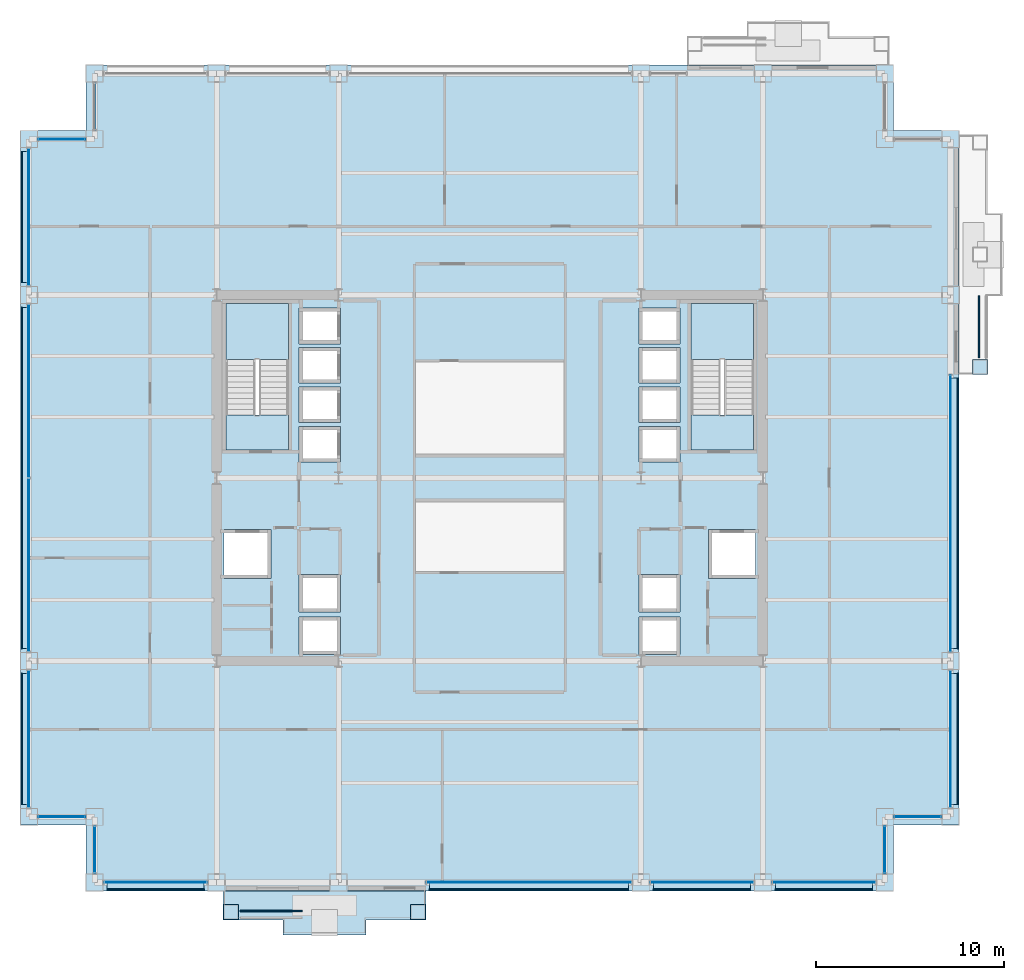
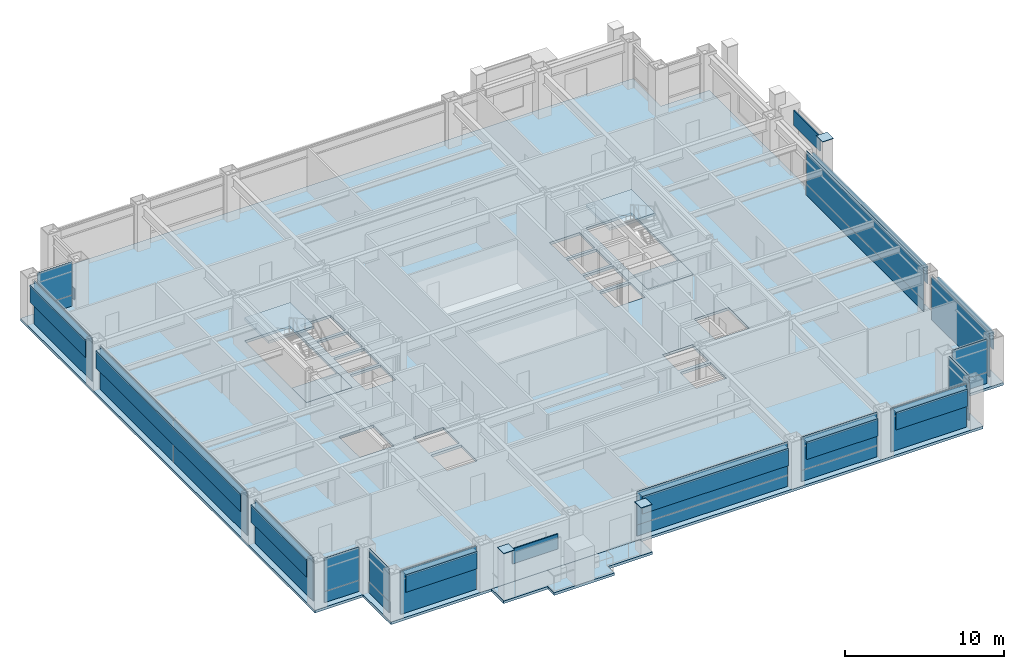
# One storey, part 23 of 31: 47 plates, 6 slabs, 17 elements without a shape of their own.
"""IFC4 building model written with IfcOpenShell, lengths in metres."""

from ifc_helpers import new_model, si_unit, direction, frame, origin, origin_2d, place, context, subcontext, project, spatial, polyline, rectangle, outline, extrude, material, layer, layer_set, type_object, element, aggregate, save


model = new_model("IFC4")

# Units and contexts
model_context = context("Model", 3, precision=1e-05, world=origin(), true_north=direction((0.0, 1.0)))
body_context = subcontext(model_context, "Body", "Model", "MODEL_VIEW")
ifc_project = project(units=[si_unit("LENGTHUNIT", "METRE"), si_unit("AREAUNIT", "SQUARE_METRE"), si_unit("VOLUMEUNIT", "CUBIC_METRE"), si_unit("PLANEANGLEUNIT", "RADIAN"), si_unit("MASSUNIT", "GRAM", prefix="KILO")], contexts=[model_context])

# Site, building, storey
site_placement = place(None, origin())
site = spatial("IfcSite", under=ifc_project, at=site_placement, CompositionType="ELEMENT")
building_placement = place(site_placement, origin())
building = spatial("IfcBuilding", under=site, at=building_placement, Name="Brelmoor Portico Tower", CompositionType="ELEMENT")
storey_placement = place(building_placement, frame((0.0, 0.0, 42.0)))
storey = spatial("IfcBuildingStorey", under=building, at=storey_placement, Name="L10", CompositionType="ELEMENT", Elevation=42.0)

# Plates
ifc_material_1 = material(Name="Steel Q355B", Category="steel")
ifc_layer_1 = layer(ifc_material_1, 0.044921875)
ifc_layer_set_1 = layer_set([ifc_layer_1], Name="Steel Q355B")
plate_type_1 = type_object("IfcPlateType", Name="PT-CAP-650", PredefinedType="SHEET", material=ifc_layer_set_1)
for number, where, z_axis, x_axis, name in (
    (1, (-13.780029296875, -23.1298828125, 3.60009765625), (0.0, 0.0, 1.0), (1.0, 0.0, 0.0), "L10 Proud Picture-Frame Pier PFJ-S1 Welded Head Cap Plate"),
    (2, (-3.820068359375, -23.1298828125, 3.60009765625), (0.0, 0.0, 1.0), (1.0, 0.0, 0.0), "L10 Proud Picture-Frame Pier PFJ-S2 Welded Head Cap Plate"),
    (3, (26.1298828125, 5.919921875, 3.60009765625), (0.0, 0.0, 1.0), (0.0, 1.0, 0.0), "L10 Proud Picture-Frame Pier PFJ-E1 Welded Head Cap Plate"),
):
    element("IfcPlate", number, at=place(storey_placement, frame(where, z_axis=z_axis, x_axis=x_axis)), inside=storey, type_object=plate_type_1, Name=name, PredefinedType="SHEET", context=body_context, shape_type="SweptSolid", body=[
        extrude(rectangle(XDim=0.7900390625, YDim=0.7900390625, at=origin_2d()), origin(), (0.0, 0.0, 1.0), 0.0400390625),
    ])

# Curtain wall, plate
ifc_material_2 = material(Name="Anodised Aluminium Alloy 6063-T6", Category="aluminium")
ifc_layer_2 = layer(ifc_material_2, 0.179931640625)
ifc_layer_set_2 = layer_set([ifc_layer_2], Name="Anodised Aluminium Alloy 6063-T6")
curtain_wall_type_1 = type_object("IfcCurtainWallType", Name="CW-TOWER-Z1", PredefinedType="NOTDEFINED", material=ifc_layer_set_2)
curtain_wall_1_placement = place(storey_placement, origin())
curtain_wall_1 = element("IfcCurtainWall", 4, at=curtain_wall_1_placement, inside=storey, type_object=curtain_wall_type_1, Name="L10 Curtain Wall CW-L10-1R-1", PredefinedType="NOTDEFINED")
ifc_material_3 = material(Name="Double-Silver Low-E Insulated Glazing", Category="glass")
ifc_layer_3 = layer(ifc_material_3, 0.035888671875)
ifc_layer_set_3 = layer_set([ifc_layer_3], Name="Double-Silver Low-E Insulated Glazing")
plate_type_2 = type_object("IfcPlateType", Name="PT-CW-GLASS", PredefinedType="CURTAIN_PANEL", material=ifc_layer_set_3)
plate_1_placement = place(storey_placement, frame((2.08251953125, -21.550048828125, 0.85009765625), z_axis=(0.0, 0.0, 1.0), x_axis=(1.0, 0.0, 0.0)))
plate_1 = element("IfcPlate", 5, at=plate_1_placement, type_object=plate_type_2, Name="CW-L10-1R-1 Vision Glass Panel 00", PredefinedType="CURTAIN_PANEL", context=body_context, shape_type="SweptSolid", body=[
    extrude(rectangle(XDim=10.93505859375, YDim=0.035888671875, at=origin_2d()), origin(), (0.0, 0.0, 1.0), 2.550048828125),
])

curtain_wall_2_placement = place(storey_placement, origin())
curtain_wall_2 = element("IfcCurtainWall", 6, at=curtain_wall_2_placement, inside=storey, type_object=curtain_wall_type_1, Name="L10 Curtain Wall CW-L10-1R-2", PredefinedType="NOTDEFINED")
plate_2_placement = place(storey_placement, frame((11.300048828125, -21.550048828125, 0.85009765625), z_axis=(0.0, 0.0, 1.0), x_axis=(1.0, 0.0, 0.0)))
plate_2 = element("IfcPlate", 7, at=plate_2_placement, type_object=plate_type_2, Name="CW-L10-1R-2 Vision Glass Panel 00", PredefinedType="CURTAIN_PANEL", context=body_context, shape_type="SweptSolid", body=[
    extrude(rectangle(XDim=5.5, YDim=0.035888671875, at=origin_2d()), origin(), (0.0, 0.0, 1.0), 2.550048828125),
])

curtain_wall_3_placement = place(storey_placement, origin())
curtain_wall_3 = element("IfcCurtainWall", 8, at=curtain_wall_3_placement, inside=storey, type_object=curtain_wall_type_1, Name="L10 Curtain Wall CW-L10-4L-2", PredefinedType="NOTDEFINED")
plate_3_placement = place(storey_placement, frame((24.550048828125, -1.882568359375, 0.85009765625), z_axis=(0.0, 0.0, 1.0), x_axis=(0.0, 1.0, 0.0)))
plate_3 = element("IfcPlate", 9, at=plate_3_placement, type_object=plate_type_2, Name="CW-L10-4L-2 Vision Glass Panel 00", PredefinedType="CURTAIN_PANEL", context=body_context, shape_type="SweptSolid", body=[
    extrude(rectangle(XDim=14.735107421875, YDim=0.035888671875, at=origin_2d()), origin(), (0.0, 0.0, 1.0), 2.550048828125),
])

ifc_layer_4 = layer(ifc_material_2, 0.179931640625)
ifc_layer_set_4 = layer_set([ifc_layer_4], Name="Anodised Aluminium Alloy 6063-T6")
curtain_wall_type_2 = type_object("IfcCurtainWallType", Name="CW-NOTCH-CHAMFER", PredefinedType="NOTDEFINED", material=ifc_layer_set_4)
curtain_wall_4_placement = place(storey_placement, origin())
curtain_wall_4 = element("IfcCurtainWall", 10, at=curtain_wall_4_placement, inside=storey, type_object=curtain_wall_type_2, Name="L10 Curtain Wall CWN-L10-SWH", PredefinedType="NOTDEFINED")
plate_4_placement = place(storey_placement, frame((-22.800048828125, -18.050048828125, 0.85009765625), z_axis=(0.0, 0.0, 1.0), x_axis=(1.0, 0.0, 0.0)))
plate_4 = element("IfcPlate", 11, at=plate_4_placement, type_object=plate_type_2, Name="CWN-L10-SWH Vision Glass Panel 00", PredefinedType="CURTAIN_PANEL", context=body_context, shape_type="SweptSolid", body=[
    extrude(rectangle(XDim=2.5, YDim=0.035888671875, at=origin_2d()), origin(), (0.0, 0.0, 1.0), 2.550048828125),
])

curtain_wall_5_placement = place(storey_placement, origin())
curtain_wall_5 = element("IfcCurtainWall", 12, at=curtain_wall_5_placement, inside=storey, type_object=curtain_wall_type_2, Name="L10 Curtain Wall CWN-L10-SWV", PredefinedType="NOTDEFINED")
plate_5_placement = place(storey_placement, frame((-21.050048828125, -19.800048828125, 0.85009765625), z_axis=(0.0, 0.0, 1.0), x_axis=(0.0, 1.0, 0.0)))
plate_5 = element("IfcPlate", 13, at=plate_5_placement, type_object=plate_type_2, Name="CWN-L10-SWV Vision Glass Panel 00", PredefinedType="CURTAIN_PANEL", context=body_context, shape_type="SweptSolid", body=[
    extrude(rectangle(XDim=2.5, YDim=0.035888671875, at=origin_2d()), origin(), (0.0, 0.0, 1.0), 2.550048828125),
])

curtain_wall_6_placement = place(storey_placement, origin())
curtain_wall_6 = element("IfcCurtainWall", 14, at=curtain_wall_6_placement, inside=storey, type_object=curtain_wall_type_2, Name="L10 Curtain Wall CWN-L10-SEH", PredefinedType="NOTDEFINED")
plate_6_placement = place(storey_placement, frame((22.800048828125, -18.050048828125, 0.85009765625), z_axis=(0.0, 0.0, 1.0), x_axis=(1.0, 0.0, 0.0)))
plate_6 = element("IfcPlate", 15, at=plate_6_placement, type_object=plate_type_2, Name="CWN-L10-SEH Vision Glass Panel 00", PredefinedType="CURTAIN_PANEL", context=body_context, shape_type="SweptSolid", body=[
    extrude(rectangle(XDim=2.5, YDim=0.035888671875, at=origin_2d()), origin(), (0.0, 0.0, 1.0), 2.550048828125),
])

curtain_wall_7_placement = place(storey_placement, origin())
curtain_wall_7 = element("IfcCurtainWall", 16, at=curtain_wall_7_placement, inside=storey, type_object=curtain_wall_type_2, Name="L10 Curtain Wall CWN-L10-SEV", PredefinedType="NOTDEFINED")
plate_7_placement = place(storey_placement, frame((21.050048828125, -19.800048828125, 0.85009765625), z_axis=(0.0, 0.0, 1.0), x_axis=(0.0, 1.0, 0.0)))
plate_7 = element("IfcPlate", 17, at=plate_7_placement, type_object=plate_type_2, Name="CWN-L10-SEV Vision Glass Panel 00", PredefinedType="CURTAIN_PANEL", context=body_context, shape_type="SweptSolid", body=[
    extrude(rectangle(XDim=2.5, YDim=0.035888671875, at=origin_2d()), origin(), (0.0, 0.0, 1.0), 2.550048828125),
])

curtain_wall_8_placement = place(storey_placement, origin())
curtain_wall_8 = element("IfcCurtainWall", 18, at=curtain_wall_8_placement, inside=storey, type_object=curtain_wall_type_2, Name="L10 Curtain Wall CWN-L10-NWH", PredefinedType="NOTDEFINED")
plate_8_placement = place(storey_placement, frame((-22.800048828125, 18.050048828125, 0.85009765625), z_axis=(0.0, 0.0, 1.0), x_axis=(1.0, 0.0, 0.0)))
plate_8 = element("IfcPlate", 19, at=plate_8_placement, type_object=plate_type_2, Name="CWN-L10-NWH Vision Glass Panel 00", PredefinedType="CURTAIN_PANEL", context=body_context, shape_type="SweptSolid", body=[
    extrude(rectangle(XDim=2.5, YDim=0.035888671875, at=origin_2d()), origin(), (0.0, 0.0, 1.0), 2.550048828125),
])

ifc_layer_5 = layer(ifc_material_2, 0.179931640625)
ifc_layer_set_5 = layer_set([ifc_layer_5], Name="Anodised Aluminium Alloy 6063-T6")
curtain_wall_type_3 = type_object("IfcCurtainWallType", Name="CW-TOWER-Z1-XB", PredefinedType="NOTDEFINED", material=ifc_layer_set_5)
curtain_wall_9_placement = place(storey_placement, origin())
curtain_wall_9 = element("IfcCurtainWall", 20, at=curtain_wall_9_placement, inside=storey, type_object=curtain_wall_type_3, Name="L10 Curtain Wall CW-L10-1L", PredefinedType="NOTDEFINED")
ifc_material_4 = material(Name="Pale Champagne Anodised Aluminium Panel", Category="aluminium")
ifc_layer_6 = layer(ifc_material_4, 0.050048828125)
ifc_layer_set_6 = layer_set([ifc_layer_6], Name="Pale Champagne Anodised Aluminium Panel")
plate_type_3 = type_object("IfcPlateType", Name="PT-CW-SPANDREL", PredefinedType="SHEET", material=ifc_layer_set_6)
plate_9_placement = place(storey_placement, frame((-17.800048828125, -21.550048828125, 0.0), z_axis=(0.0, 0.0, 1.0), x_axis=(1.0, 0.0, 0.0)))
plate_9 = element("IfcPlate", 21, at=plate_9_placement, type_object=plate_type_3, Name="CW-L10-1L Spandrel Panel 00", PredefinedType="SHEET", context=body_context, shape_type="SweptSolid", body=[
    extrude(rectangle(XDim=5.5, YDim=0.050048828125, at=origin_2d()), origin(), (0.0, 0.0, 1.0), 3.330078125),
])
aggregate(curtain_wall_9, [plate_9])

# Plate
plate_10_placement = place(storey_placement, frame((2.08251953125, -21.550048828125, 0.0), z_axis=(0.0, 0.0, 1.0), x_axis=(1.0, 0.0, 0.0)))
plate_10 = element("IfcPlate", 22, at=plate_10_placement, type_object=plate_type_3, Name="CW-L10-1R-1 Spandrel Panel 00", PredefinedType="SHEET", context=body_context, shape_type="SweptSolid", body=[
    extrude(rectangle(XDim=10.93505859375, YDim=0.050048828125, at=origin_2d()), origin(), (0.0, 0.0, 1.0), 0.85009765625),
])

aggregate(curtain_wall_1, [plate_10, plate_1])

plate_11_placement = place(storey_placement, frame((11.300048828125, -21.550048828125, 0.0), z_axis=(0.0, 0.0, 1.0), x_axis=(1.0, 0.0, 0.0)))
plate_11 = element("IfcPlate", 23, at=plate_11_placement, type_object=plate_type_3, Name="CW-L10-1R-2 Spandrel Panel 00", PredefinedType="SHEET", context=body_context, shape_type="SweptSolid", body=[
    extrude(rectangle(XDim=5.5, YDim=0.050048828125, at=origin_2d()), origin(), (0.0, 0.0, 1.0), 0.85009765625),
])

aggregate(curtain_wall_2, [plate_11, plate_2])

# Curtain wall, plate
curtain_wall_10_placement = place(storey_placement, origin())
curtain_wall_10 = element("IfcCurtainWall", 24, at=curtain_wall_10_placement, inside=storey, type_object=curtain_wall_type_3, Name="L10 Curtain Wall CW-L10-1R-3", PredefinedType="NOTDEFINED")
plate_12_placement = place(storey_placement, frame((17.800048828125, -21.550048828125, 0.0), z_axis=(0.0, 0.0, 1.0), x_axis=(1.0, 0.0, 0.0)))
plate_12 = element("IfcPlate", 25, at=plate_12_placement, type_object=plate_type_3, Name="CW-L10-1R-3 Spandrel Panel 00", PredefinedType="SHEET", context=body_context, shape_type="SweptSolid", body=[
    extrude(rectangle(XDim=5.5, YDim=0.050048828125, at=origin_2d()), origin(), (0.0, 0.0, 1.0), 3.330078125),
])
aggregate(curtain_wall_10, [plate_12])

curtain_wall_11_placement = place(storey_placement, origin())
curtain_wall_11 = element("IfcCurtainWall", 26, at=curtain_wall_11_placement, inside=storey, type_object=curtain_wall_type_3, Name="L10 Curtain Wall CW-L10-03-1", PredefinedType="NOTDEFINED")
plate_13_placement = place(storey_placement, frame((-24.550048828125, -13.89990234375, 0.0), z_axis=(0.0, 0.0, 1.0), x_axis=(0.0, 1.0, 0.0)))
plate_13 = element("IfcPlate", 27, at=plate_13_placement, type_object=plate_type_3, Name="CW-L10-03-1 Spandrel Panel 00", PredefinedType="SHEET", context=body_context, shape_type="SweptSolid", body=[
    extrude(rectangle(XDim=7.300048828125, YDim=0.050048828125, at=origin_2d()), origin(), (0.0, 0.0, 1.0), 3.330078125),
])
aggregate(curtain_wall_11, [plate_13])

# Curtain wall, plates
curtain_wall_12_placement = place(storey_placement, origin())
curtain_wall_12 = element("IfcCurtainWall", 28, at=curtain_wall_12_placement, inside=storey, type_object=curtain_wall_type_3, Name="L10 Curtain Wall CW-L10-03-2", PredefinedType="NOTDEFINED")
plate_14_placement = place(storey_placement, frame((-24.550048828125, -4.632568359375, 0.0), z_axis=(0.0, 0.0, 1.0), x_axis=(0.0, 1.0, 0.0)))
plate_14 = element("IfcPlate", 29, at=plate_14_placement, type_object=plate_type_3, Name="CW-L10-03-2 Spandrel Panel 00", PredefinedType="SHEET", context=body_context, shape_type="SweptSolid", body=[
    extrude(rectangle(XDim=9.235107421875, YDim=0.050048828125, at=origin_2d()), origin(), (0.0, 0.0, 1.0), 3.330078125),
])
plate_15_placement = place(storey_placement, frame((-24.550048828125, 4.632568359375, 0.0), z_axis=(0.0, 0.0, 1.0), x_axis=(0.0, 1.0, 0.0)))
plate_15 = element("IfcPlate", 30, at=plate_15_placement, type_object=plate_type_3, Name="CW-L10-03-2 Spandrel Panel 01", PredefinedType="SHEET", context=body_context, shape_type="SweptSolid", body=[
    extrude(rectangle(XDim=9.235107421875, YDim=0.050048828125, at=origin_2d()), origin(), (0.0, 0.0, 1.0), 3.330078125),
])
aggregate(curtain_wall_12, [plate_14, plate_15])

# Curtain wall, plate
curtain_wall_13_placement = place(storey_placement, origin())
curtain_wall_13 = element("IfcCurtainWall", 31, at=curtain_wall_13_placement, inside=storey, type_object=curtain_wall_type_3, Name="L10 Curtain Wall CW-L10-03-3", PredefinedType="NOTDEFINED")
plate_16_placement = place(storey_placement, frame((-24.550048828125, 13.89990234375, 0.0), z_axis=(0.0, 0.0, 1.0), x_axis=(0.0, 1.0, 0.0)))
plate_16 = element("IfcPlate", 32, at=plate_16_placement, type_object=plate_type_3, Name="CW-L10-03-3 Spandrel Panel 00", PredefinedType="SHEET", context=body_context, shape_type="SweptSolid", body=[
    extrude(rectangle(XDim=7.300048828125, YDim=0.050048828125, at=origin_2d()), origin(), (0.0, 0.0, 1.0), 3.330078125),
])
aggregate(curtain_wall_13, [plate_16])

curtain_wall_14_placement = place(storey_placement, origin())
curtain_wall_14 = element("IfcCurtainWall", 33, at=curtain_wall_14_placement, inside=storey, type_object=curtain_wall_type_3, Name="L10 Curtain Wall CW-L10-4L-1", PredefinedType="NOTDEFINED")
plate_17_placement = place(storey_placement, frame((24.550048828125, -13.89990234375, 0.0), z_axis=(0.0, 0.0, 1.0), x_axis=(0.0, 1.0, 0.0)))
plate_17 = element("IfcPlate", 34, at=plate_17_placement, type_object=plate_type_3, Name="CW-L10-4L-1 Spandrel Panel 00", PredefinedType="SHEET", context=body_context, shape_type="SweptSolid", body=[
    extrude(rectangle(XDim=7.300048828125, YDim=0.050048828125, at=origin_2d()), origin(), (0.0, 0.0, 1.0), 3.330078125),
])
aggregate(curtain_wall_14, [plate_17])

# Plate
plate_18_placement = place(storey_placement, frame((24.550048828125, -1.882568359375, 0.0), z_axis=(0.0, 0.0, 1.0), x_axis=(0.0, 1.0, 0.0)))
plate_18 = element("IfcPlate", 35, at=plate_18_placement, type_object=plate_type_3, Name="CW-L10-4L-2 Spandrel Panel 00", PredefinedType="SHEET", context=body_context, shape_type="SweptSolid", body=[
    extrude(rectangle(XDim=14.735107421875, YDim=0.050048828125, at=origin_2d()), origin(), (0.0, 0.0, 1.0), 0.85009765625),
])

aggregate(curtain_wall_3, [plate_18, plate_3])

plate_19_placement = place(storey_placement, frame((-22.800048828125, -18.050048828125, 0.0), z_axis=(0.0, 0.0, 1.0), x_axis=(1.0, 0.0, 0.0)))
plate_19 = element("IfcPlate", 36, at=plate_19_placement, type_object=plate_type_3, Name="CWN-L10-SWH Spandrel Panel 00", PredefinedType="SHEET", context=body_context, shape_type="SweptSolid", body=[
    extrude(rectangle(XDim=2.5, YDim=0.050048828125, at=origin_2d()), origin(), (0.0, 0.0, 1.0), 0.85009765625),
])

aggregate(curtain_wall_4, [plate_19, plate_4])

plate_20_placement = place(storey_placement, frame((-21.050048828125, -19.800048828125, 0.0), z_axis=(0.0, 0.0, 1.0), x_axis=(0.0, 1.0, 0.0)))
plate_20 = element("IfcPlate", 37, at=plate_20_placement, type_object=plate_type_3, Name="CWN-L10-SWV Spandrel Panel 00", PredefinedType="SHEET", context=body_context, shape_type="SweptSolid", body=[
    extrude(rectangle(XDim=2.5, YDim=0.050048828125, at=origin_2d()), origin(), (0.0, 0.0, 1.0), 0.85009765625),
])

aggregate(curtain_wall_5, [plate_20, plate_5])

plate_21_placement = place(storey_placement, frame((22.800048828125, -18.050048828125, 0.0), z_axis=(0.0, 0.0, 1.0), x_axis=(1.0, 0.0, 0.0)))
plate_21 = element("IfcPlate", 38, at=plate_21_placement, type_object=plate_type_3, Name="CWN-L10-SEH Spandrel Panel 00", PredefinedType="SHEET", context=body_context, shape_type="SweptSolid", body=[
    extrude(rectangle(XDim=2.5, YDim=0.050048828125, at=origin_2d()), origin(), (0.0, 0.0, 1.0), 0.85009765625),
])

aggregate(curtain_wall_6, [plate_21, plate_6])

plate_22_placement = place(storey_placement, frame((21.050048828125, -19.800048828125, 0.0), z_axis=(0.0, 0.0, 1.0), x_axis=(0.0, 1.0, 0.0)))
plate_22 = element("IfcPlate", 39, at=plate_22_placement, type_object=plate_type_3, Name="CWN-L10-SEV Spandrel Panel 00", PredefinedType="SHEET", context=body_context, shape_type="SweptSolid", body=[
    extrude(rectangle(XDim=2.5, YDim=0.050048828125, at=origin_2d()), origin(), (0.0, 0.0, 1.0), 0.85009765625),
])

aggregate(curtain_wall_7, [plate_22, plate_7])

plate_23_placement = place(storey_placement, frame((-22.800048828125, 18.050048828125, 0.0), z_axis=(0.0, 0.0, 1.0), x_axis=(1.0, 0.0, 0.0)))
plate_23 = element("IfcPlate", 40, at=plate_23_placement, type_object=plate_type_3, Name="CWN-L10-NWH Spandrel Panel 00", PredefinedType="SHEET", context=body_context, shape_type="SweptSolid", body=[
    extrude(rectangle(XDim=2.5, YDim=0.050048828125, at=origin_2d()), origin(), (0.0, 0.0, 1.0), 0.85009765625),
])

aggregate(curtain_wall_8, [plate_23, plate_8])

# Curtain wall, plate
curtain_wall_15_placement = place(storey_placement, origin())
curtain_wall_15 = element("IfcCurtainWall", 41, at=curtain_wall_15_placement, inside=storey, type_object=curtain_wall_type_2, Name="L10 Curtain Wall CWN-L10-NWV", PredefinedType="NOTDEFINED")
plate_24_placement = place(storey_placement, frame((-21.050048828125, 19.800048828125, 0.0), z_axis=(0.0, 0.0, 1.0), x_axis=(0.0, 1.0, 0.0)))
plate_24 = element("IfcPlate", 42, at=plate_24_placement, type_object=plate_type_3, Name="CWN-L10-NWV Spandrel Panel 00", PredefinedType="SHEET", context=body_context, shape_type="SweptSolid", body=[
    extrude(rectangle(XDim=2.5, YDim=0.050048828125, at=origin_2d()), origin(), (0.0, 0.0, 1.0), 0.85009765625),
])
aggregate(curtain_wall_15, [plate_24])

# Plates
ifc_material_5 = material(Name="Powder-Coated Aluminium Shuttered Jalousie Louvre", Category="aluminium")
ifc_layer_7 = layer(ifc_material_5, 0.06005859375)
ifc_layer_set_7 = layer_set([ifc_layer_7], Name="Powder-Coated Aluminium Shuttered Jalousie Louvre")
plate_type_4 = type_object("IfcPlateType", Name="PT-JALOUSIE-SHUTTER", PredefinedType="SHEET", material=ifc_layer_set_7)
plate_25_placement = place(storey_placement, frame((-17.800048828125, -21.929931640625, 1.8740234375), z_axis=(0.0, 0.0, 1.0), x_axis=(1.0, 0.0, 0.0)))
element("IfcPlate", 43, at=plate_25_placement, inside=storey, type_object=plate_type_4, Name="CW-L10-1L Perforated Jalousie Solar Screen", PredefinedType="SHEET", context=body_context, shape_type="SweptSolid", body=[
    extrude(rectangle(XDim=5.169921875, YDim=0.06494140625, at=origin_2d()), origin(), (0.0, 0.0, 1.0), 1.325927734375),
])
plate_26_placement = place(storey_placement, frame((2.08251953125, -21.929931640625, 1.8740234375), z_axis=(0.0, 0.0, 1.0), x_axis=(1.0, 0.0, 0.0)))
element("IfcPlate", 44, at=plate_26_placement, inside=storey, type_object=plate_type_4, Name="CW-L10-1R-1 Perforated Jalousie Solar Screen", PredefinedType="SHEET", context=body_context, shape_type="SweptSolid", body=[
    extrude(rectangle(XDim=10.60498046875, YDim=0.06494140625, at=origin_2d()), origin(), (0.0, 0.0, 1.0), 1.325927734375),
])
for number, where, z_axis, x_axis, name in (
    (45, (11.300048828125, -21.929931640625, 1.8740234375), (0.0, 0.0, 1.0), (1.0, 0.0, 0.0), "CW-L10-1R-2 Perforated Jalousie Solar Screen"),
    (46, (17.800048828125, -21.929931640625, 1.8740234375), (0.0, 0.0, 1.0), (1.0, 0.0, 0.0), "CW-L10-1R-3 Perforated Jalousie Solar Screen"),
):
    element("IfcPlate", number, at=place(storey_placement, frame(where, z_axis=z_axis, x_axis=x_axis)), inside=storey, type_object=plate_type_4, Name=name, PredefinedType="SHEET", context=body_context, shape_type="SweptSolid", body=[
        extrude(rectangle(XDim=5.169921875, YDim=0.06494140625, at=origin_2d()), origin(), (0.0, 0.0, 1.0), 1.325927734375),
    ])
plate_27_placement = place(storey_placement, frame((-11.64990234375, -23.080078125, 2.275146484375), z_axis=(0.0, 0.0, 1.0), x_axis=(1.0, 0.0, 0.0)))
element("IfcPlate", 47, at=plate_27_placement, inside=storey, type_object=plate_type_4, Name="L10 Shuttered Veranda Screen S", PredefinedType="SHEET", context=body_context, shape_type="SweptSolid", body=[
    extrude(rectangle(XDim=3.300048828125, YDim=0.080078125, at=origin_2d()), origin(), (0.0, 0.0, 1.0), 1.14990234375),
])
plate_28_placement = place(storey_placement, frame((-24.929931640625, -13.89990234375, 1.8740234375), z_axis=(0.0, 0.0, 1.0), x_axis=(0.0, 1.0, 0.0)))
element("IfcPlate", 48, at=plate_28_placement, inside=storey, type_object=plate_type_4, Name="CW-L10-03-1 Perforated Jalousie Solar Screen", PredefinedType="SHEET", context=body_context, shape_type="SweptSolid", body=[
    extrude(rectangle(XDim=6.969970703125, YDim=0.06494140625, at=origin_2d()), origin(), (0.0, 0.0, 1.0), 1.325927734375),
])
plate_29_placement = place(storey_placement, frame((-24.929931640625, 0.0, 1.8740234375), z_axis=(0.0, 0.0, 1.0), x_axis=(0.0, 1.0, 0.0)))
element("IfcPlate", 49, at=plate_29_placement, inside=storey, type_object=plate_type_4, Name="CW-L10-03-2 Perforated Jalousie Solar Screen", PredefinedType="SHEET", context=body_context, shape_type="SweptSolid", body=[
    extrude(rectangle(XDim=18.169921875, YDim=0.06494140625, at=origin_2d()), origin(), (0.0, 0.0, 1.0), 1.325927734375),
])
for number, where, z_axis, x_axis, name in (
    (50, (-24.929931640625, 13.89990234375, 1.8740234375), (0.0, 0.0, 1.0), (0.0, 1.0, 0.0), "CW-L10-03-3 Perforated Jalousie Solar Screen"),
    (51, (24.929931640625, -13.89990234375, 1.8740234375), (0.0, 0.0, 1.0), (0.0, 1.0, 0.0), "CW-L10-4L-1 Perforated Jalousie Solar Screen"),
):
    element("IfcPlate", number, at=place(storey_placement, frame(where, z_axis=z_axis, x_axis=x_axis)), inside=storey, type_object=plate_type_4, Name=name, PredefinedType="SHEET", context=body_context, shape_type="SweptSolid", body=[
        extrude(rectangle(XDim=6.969970703125, YDim=0.06494140625, at=origin_2d()), origin(), (0.0, 0.0, 1.0), 1.325927734375),
    ])
plate_30_placement = place(storey_placement, frame((24.929931640625, -1.882568359375, 1.8740234375), z_axis=(0.0, 0.0, 1.0), x_axis=(0.0, 1.0, 0.0)))
element("IfcPlate", 52, at=plate_30_placement, inside=storey, type_object=plate_type_4, Name="CW-L10-4L-2 Perforated Jalousie Solar Screen", PredefinedType="SHEET", context=body_context, shape_type="SweptSolid", body=[
    extrude(rectangle(XDim=14.405029296875, YDim=0.06494140625, at=origin_2d()), origin(), (0.0, 0.0, 1.0), 1.325927734375),
])
plate_31_placement = place(storey_placement, frame((26.080078125, 8.050048828125, 2.275146484375), z_axis=(0.0, 0.0, 1.0), x_axis=(0.0, 1.0, 0.0)))
element("IfcPlate", 53, at=plate_31_placement, inside=storey, type_object=plate_type_4, Name="L10 Shuttered Veranda Screen E", PredefinedType="SHEET", context=body_context, shape_type="SweptSolid", body=[
    extrude(rectangle(XDim=3.300048828125, YDim=0.080078125, at=origin_2d()), origin(), (0.0, 0.0, 1.0), 1.14990234375),
])
ifc_material_6 = material(Name="Pale Champagne Perforated Aluminium Solar Screen", Category="aluminium")
ifc_layer_8 = layer(ifc_material_6, 0.054931640625)
ifc_layer_set_8 = layer_set([ifc_layer_8], Name="Pale Champagne Perforated Aluminium Solar Screen")
plate_type_5 = type_object("IfcPlateType", Name="PT-SOLAR-LOUVRE", PredefinedType="SHEET", material=ifc_layer_set_8)
plate_32_placement = place(storey_placement, frame((-17.800048828125, -21.760009765625, 3.08984375), z_axis=(0.0, 0.0, 1.0), x_axis=(1.0, 0.0, 0.0)))
element("IfcPlate", 54, at=plate_32_placement, inside=storey, type_object=plate_type_5, Name="CW-L10-1L Caribbean Brise-Soleil Solar Screen", PredefinedType="SHEET", context=body_context, shape_type="SweptSolid", body=[
    extrude(rectangle(XDim=5.169921875, YDim=0.4599609375, at=origin_2d()), origin(), (0.0, 0.0, 1.0), 0.139892578125),
])
plate_33_placement = place(storey_placement, frame((2.08251953125, -21.760009765625, 3.08984375), z_axis=(0.0, 0.0, 1.0), x_axis=(1.0, 0.0, 0.0)))
element("IfcPlate", 55, at=plate_33_placement, inside=storey, type_object=plate_type_5, Name="CW-L10-1R-1 Caribbean Brise-Soleil Solar Screen", PredefinedType="SHEET", context=body_context, shape_type="SweptSolid", body=[
    extrude(rectangle(XDim=10.60498046875, YDim=0.4599609375, at=origin_2d()), origin(), (0.0, 0.0, 1.0), 0.139892578125),
])
for number, where, z_axis, x_axis, name in (
    (56, (11.300048828125, -21.760009765625, 3.08984375), (0.0, 0.0, 1.0), (1.0, 0.0, 0.0), "CW-L10-1R-2 Caribbean Brise-Soleil Solar Screen"),
    (57, (17.800048828125, -21.760009765625, 3.08984375), (0.0, 0.0, 1.0), (1.0, 0.0, 0.0), "CW-L10-1R-3 Caribbean Brise-Soleil Solar Screen"),
):
    element("IfcPlate", number, at=place(storey_placement, frame(where, z_axis=z_axis, x_axis=x_axis)), inside=storey, type_object=plate_type_5, Name=name, PredefinedType="SHEET", context=body_context, shape_type="SweptSolid", body=[
        extrude(rectangle(XDim=5.169921875, YDim=0.4599609375, at=origin_2d()), origin(), (0.0, 0.0, 1.0), 0.139892578125),
    ])
plate_34_placement = place(storey_placement, frame((-24.760009765625, -13.89990234375, 3.08984375), z_axis=(0.0, 0.0, 1.0), x_axis=(0.0, 1.0, 0.0)))
element("IfcPlate", 58, at=plate_34_placement, inside=storey, type_object=plate_type_5, Name="CW-L10-03-1 Caribbean Brise-Soleil Solar Screen", PredefinedType="SHEET", context=body_context, shape_type="SweptSolid", body=[
    extrude(rectangle(XDim=6.969970703125, YDim=0.4599609375, at=origin_2d()), origin(), (0.0, 0.0, 1.0), 0.139892578125),
])
plate_35_placement = place(storey_placement, frame((-24.760009765625, 0.0, 3.08984375), z_axis=(0.0, 0.0, 1.0), x_axis=(0.0, 1.0, 0.0)))
element("IfcPlate", 59, at=plate_35_placement, inside=storey, type_object=plate_type_5, Name="CW-L10-03-2 Caribbean Brise-Soleil Solar Screen", PredefinedType="SHEET", context=body_context, shape_type="SweptSolid", body=[
    extrude(rectangle(XDim=18.169921875, YDim=0.4599609375, at=origin_2d()), origin(), (0.0, 0.0, 1.0), 0.139892578125),
])
for number, where, z_axis, x_axis, name in (
    (60, (-24.760009765625, 13.89990234375, 3.08984375), (0.0, 0.0, 1.0), (0.0, 1.0, 0.0), "CW-L10-03-3 Caribbean Brise-Soleil Solar Screen"),
    (61, (24.760009765625, -13.89990234375, 3.08984375), (0.0, 0.0, 1.0), (0.0, 1.0, 0.0), "CW-L10-4L-1 Caribbean Brise-Soleil Solar Screen"),
):
    element("IfcPlate", number, at=place(storey_placement, frame(where, z_axis=z_axis, x_axis=x_axis)), inside=storey, type_object=plate_type_5, Name=name, PredefinedType="SHEET", context=body_context, shape_type="SweptSolid", body=[
        extrude(rectangle(XDim=6.969970703125, YDim=0.4599609375, at=origin_2d()), origin(), (0.0, 0.0, 1.0), 0.139892578125),
    ])
plate_36_placement = place(storey_placement, frame((24.760009765625, -1.882568359375, 3.08984375), z_axis=(0.0, 0.0, 1.0), x_axis=(0.0, 1.0, 0.0)))
element("IfcPlate", 62, at=plate_36_placement, inside=storey, type_object=plate_type_5, Name="CW-L10-4L-2 Caribbean Brise-Soleil Solar Screen", PredefinedType="SHEET", context=body_context, shape_type="SweptSolid", body=[
    extrude(rectangle(XDim=14.405029296875, YDim=0.4599609375, at=origin_2d()), origin(), (0.0, 0.0, 1.0), 0.139892578125),
])

# Slabs
ifc_material_7 = material(Name="Concrete C40", Category="concrete")
ifc_layer_9 = layer(ifc_material_7, 0.199951171875)
ifc_layer_set_9 = layer_set([ifc_layer_9], Name="Concrete C40")
slab_type_1 = type_object("IfcSlabType", Name="SL-BALCONY-200", PredefinedType="FLOOR", material=ifc_layer_set_9)
slab_1_placement = place(storey_placement, frame((0.0, 0.0, -0.199951171875)))
element("IfcSlab", 63, at=slab_1_placement, inside=storey, type_object=slab_type_1, Name="L10 Loggia Tree Balcony Slab S", PredefinedType="FLOOR", context=body_context, shape_type="SweptSolid", body=[
    extrude(outline(polyline([(-14.199951171875, -23.550048828125), (-11.0, -23.550048828125), (-11.0, -24.35009765625), (-6.60009765625, -24.35009765625), (-6.60009765625, -23.550048828125), (-3.39990234375, -23.550048828125), (-3.39990234375, -22.0), (-14.199951171875, -22.0), (-14.199951171875, -23.550048828125)])), origin(), (0.0, 0.0, 1.0), 0.199951171875),
])
ifc_layer_10 = layer(ifc_material_7, 0.199951171875)
ifc_layer_set_10 = layer_set([ifc_layer_10], Name="Concrete C40")
slab_type_2 = type_object("IfcSlabType", Name="SL-FLOOR-200", PredefinedType="FLOOR", material=ifc_layer_set_10)
slab_2_placement = place(storey_placement, frame((0.0, 0.0, -0.199951171875)))
element("IfcSlab", 64, at=slab_2_placement, inside=storey, type_object=slab_type_2, Name="L10 Main Structural Floor Slab", PredefinedType="FLOOR", context=body_context, shape_type="SweptSolid", body=[
    extrude(outline(polyline([(-21.5, -22.0), (21.5, -22.0), (21.5, -18.5), (25.0, -18.5), (25.0, 18.5), (21.5, 18.5), (21.5, 22.0), (-21.5, 22.0), (-21.5, 18.5), (-25.0, 18.5), (-25.0, -18.5), (-21.5, -18.5), (-21.5, -22.0)]), holes=[polyline([(-10.72998046875, 1.5), (-10.72998046875, 9.300048828125), (-14.050048828125, 9.300048828125), (-14.050048828125, 1.5), (-10.72998046875, 1.5)]), polyline([(14.050048828125, 1.5), (14.050048828125, 9.300048828125), (10.72998046875, 9.300048828125), (10.72998046875, 1.5), (14.050048828125, 1.5)]), polyline([(-10.14990234375, 0.85009765625), (-7.949951171875, 0.85009765625), (-7.949951171875, 2.75), (-10.14990234375, 2.75), (-10.14990234375, 0.85009765625)]), polyline([(-10.14990234375, 2.949951171875), (-7.949951171875, 2.949951171875), (-7.949951171875, 4.85009765625), (-10.14990234375, 4.85009765625), (-10.14990234375, 2.949951171875)]), polyline([(-10.14990234375, 5.050048828125), (-7.949951171875, 5.050048828125), (-7.949951171875, 6.949951171875), (-10.14990234375, 6.949951171875), (-10.14990234375, 5.050048828125)]), polyline([(-10.14990234375, 7.14990234375), (-7.949951171875, 7.14990234375), (-7.949951171875, 9.050048828125), (-10.14990234375, 9.050048828125), (-10.14990234375, 7.14990234375)]), polyline([(7.949951171875, 0.85009765625), (10.14990234375, 0.85009765625), (10.14990234375, 2.75), (7.949951171875, 2.75), (7.949951171875, 0.85009765625)]), polyline([(7.949951171875, 2.949951171875), (10.14990234375, 2.949951171875), (10.14990234375, 4.85009765625), (7.949951171875, 4.85009765625), (7.949951171875, 2.949951171875)]), polyline([(7.949951171875, 5.050048828125), (10.14990234375, 5.050048828125), (10.14990234375, 6.949951171875), (7.949951171875, 6.949951171875), (7.949951171875, 5.050048828125)]), polyline([(7.949951171875, 7.14990234375), (10.14990234375, 7.14990234375), (10.14990234375, 9.050048828125), (7.949951171875, 9.050048828125), (7.949951171875, 7.14990234375)]), polyline([(-10.14990234375, -9.39990234375), (-7.949951171875, -9.39990234375), (-7.949951171875, -7.39990234375), (-10.14990234375, -7.39990234375), (-10.14990234375, -9.39990234375)]), polyline([(-10.14990234375, -7.14990234375), (-7.949951171875, -7.14990234375), (-7.949951171875, -5.14990234375), (-10.14990234375, -5.14990234375), (-10.14990234375, -7.14990234375)]), polyline([(7.949951171875, -9.39990234375), (10.14990234375, -9.39990234375), (10.14990234375, -7.39990234375), (7.949951171875, -7.39990234375), (7.949951171875, -9.39990234375)]), polyline([(7.949951171875, -7.14990234375), (10.14990234375, -7.14990234375), (10.14990234375, -5.14990234375), (7.949951171875, -5.14990234375), (7.949951171875, -7.14990234375)]), polyline([(-14.14990234375, -5.35009765625), (-11.64990234375, -5.35009765625), (-11.64990234375, -2.75), (-14.14990234375, -2.75), (-14.14990234375, -5.35009765625)]), polyline([(11.64990234375, -5.35009765625), (14.14990234375, -5.35009765625), (14.14990234375, -2.75), (11.64990234375, -2.75), (11.64990234375, -5.35009765625)])]), origin(), (0.0, 0.0, 1.0), 0.199951171875),
])

# Stair, slab
stair_type_1 = type_object("IfcStairType", Name="ST-CORE-W", PredefinedType="HALF_TURN_STAIR", material=ifc_material_7)
stair_1_placement = place(storey_placement, origin())
stair_1 = element("IfcStair", 65, at=stair_1_placement, inside=storey, type_object=stair_type_1, Name="L10 Protected Core Exit Stair ST-W", PredefinedType="HALF_TURN_STAIR")
ifc_layer_11 = layer(ifc_material_7, 0.179931640625)
ifc_layer_set_11 = layer_set([ifc_layer_11], Name="Concrete C40")
slab_type_3 = type_object("IfcSlabType", Name="SL-LANDING-180", PredefinedType="LANDING", material=ifc_layer_set_11)
slab_3_placement = place(storey_placement, frame((0.0, 0.0, 1.60009765625)))
slab_3 = element("IfcSlab", 66, at=slab_3_placement, type_object=slab_type_3, Name="ST-W landing 1", PredefinedType="LANDING", context=body_context, shape_type="SweptSolid", body=[
    extrude(outline(polyline([(-10.72998046875, 6.300048828125), (-10.72998046875, 9.300048828125), (-14.050048828125, 9.300048828125), (-14.050048828125, 6.300048828125), (-10.72998046875, 6.300048828125)])), origin(), (0.0, 0.0, 1.0), 0.199951171875),
])
aggregate(stair_1, [slab_3])

stair_type_2 = type_object("IfcStairType", Name="ST-CORE-E", PredefinedType="HALF_TURN_STAIR", material=ifc_material_7)
stair_2_placement = place(storey_placement, origin())
stair_2 = element("IfcStair", 67, at=stair_2_placement, inside=storey, type_object=stair_type_2, Name="L10 Protected Core Exit Stair ST-E", PredefinedType="HALF_TURN_STAIR")
slab_4_placement = place(storey_placement, frame((0.0, 0.0, 1.60009765625)))
slab_4 = element("IfcSlab", 68, at=slab_4_placement, type_object=slab_type_3, Name="ST-E landing 1", PredefinedType="LANDING", context=body_context, shape_type="SweptSolid", body=[
    extrude(outline(polyline([(14.050048828125, 6.300048828125), (14.050048828125, 9.300048828125), (10.72998046875, 9.300048828125), (10.72998046875, 6.300048828125), (14.050048828125, 6.300048828125)])), origin(), (0.0, 0.0, 1.0), 0.199951171875),
])
aggregate(stair_2, [slab_4])

# Slabs
ifc_layer_12 = layer(ifc_material_7, 0.199951171875)
ifc_layer_set_12 = layer_set([ifc_layer_12], Name="Concrete C40")
slab_type_4 = type_object("IfcSlabType", Name="SL-STAIR-FL200", PredefinedType="LANDING", material=ifc_layer_set_12)
slab_5_placement = place(storey_placement, frame((0.0, 0.0, -0.199951171875)))
element("IfcSlab", 69, at=slab_5_placement, inside=storey, type_object=slab_type_4, Name="L10 ST-W Structural Floor Landing Slab", PredefinedType="LANDING", context=body_context, shape_type="SweptSolid", body=[
    extrude(outline(polyline([(-10.72998046875, 1.5), (-10.72998046875, 3.35009765625), (-14.050048828125, 3.35009765625), (-14.050048828125, 1.5), (-10.72998046875, 1.5)])), origin(), (0.0, 0.0, 1.0), 0.199951171875),
])
slab_6_placement = place(storey_placement, frame((0.0, 0.0, -0.199951171875)))
element("IfcSlab", 70, at=slab_6_placement, inside=storey, type_object=slab_type_4, Name="L10 ST-E Structural Floor Landing Slab", PredefinedType="LANDING", context=body_context, shape_type="SweptSolid", body=[
    extrude(outline(polyline([(14.050048828125, 1.5), (14.050048828125, 3.35009765625), (10.72998046875, 3.35009765625), (10.72998046875, 1.5), (14.050048828125, 1.5)])), origin(), (0.0, 0.0, 1.0), 0.199951171875),
])

save(model, "model.ifc")
